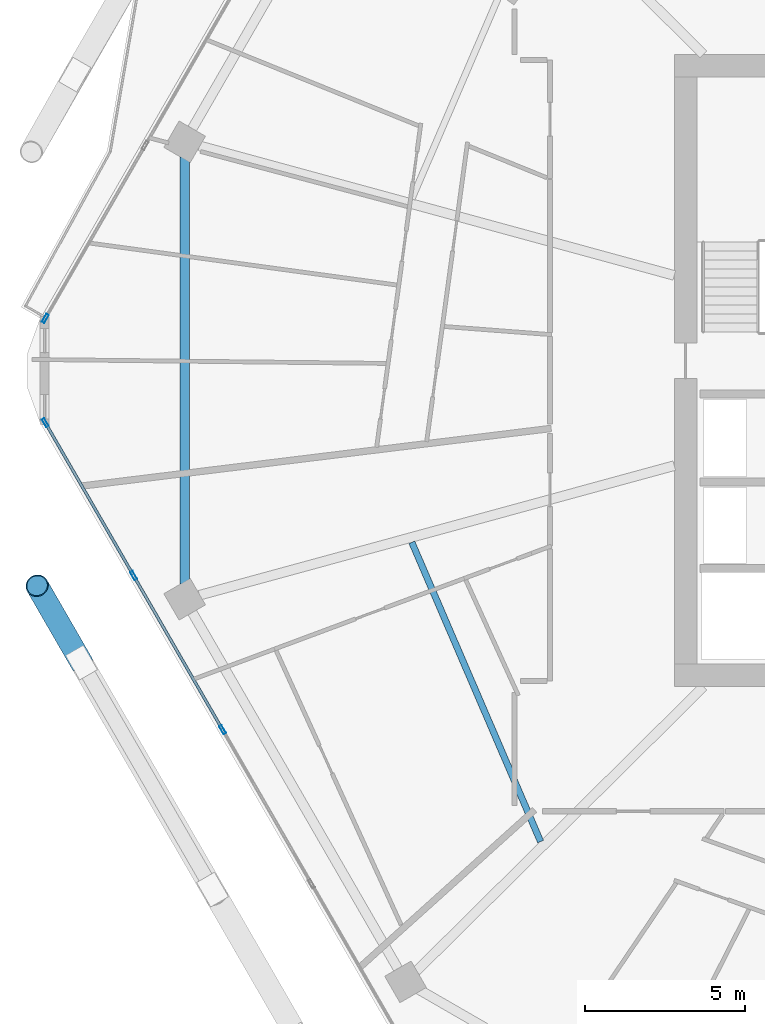
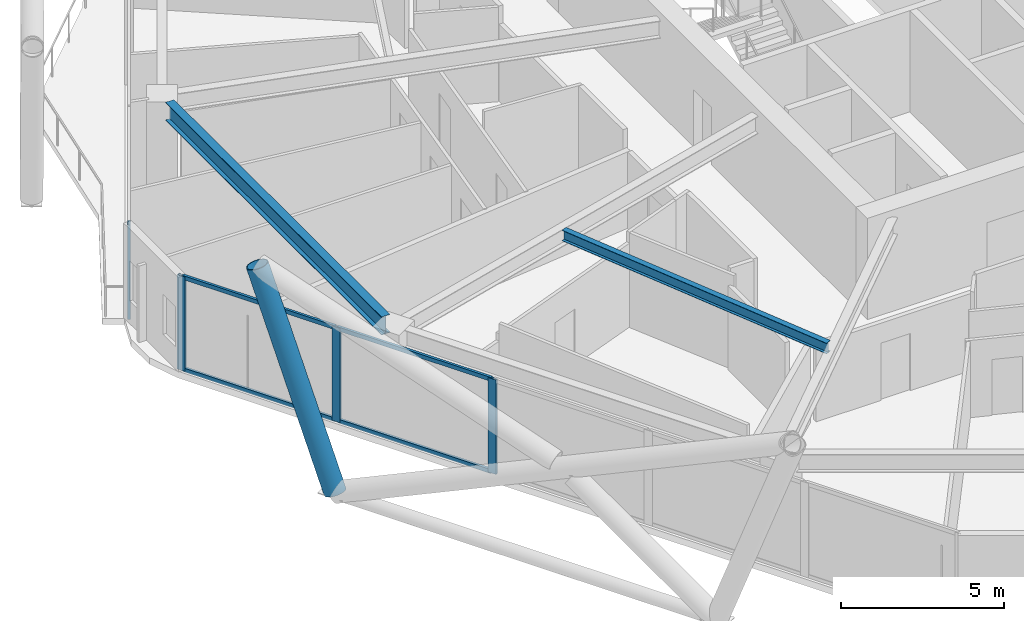
# One storey, part 5 of 28: 9 members, 2 beams, 2 elements without a shape of their own.
"""IFC4 building model written with IfcOpenShell, lengths in metres."""

from ifc_helpers import new_model, si_unit, direction, frame, origin, origin_2d, place, context, subcontext, project, spatial, hollow_rectangle, hollow_circle, i_section, extrude, material, material_profile, profile_set, type_object, element, aggregate, save


model = new_model("IFC4")

# Units and contexts
model_context = context("Model", 3, precision=1e-05, world=origin(), true_north=direction((0.0, 1.0)))
body_context = subcontext(model_context, "Body", "Model", "MODEL_VIEW")
ifc_project = project(units=[si_unit("LENGTHUNIT", "METRE"), si_unit("AREAUNIT", "SQUARE_METRE"), si_unit("VOLUMEUNIT", "CUBIC_METRE"), si_unit("PLANEANGLEUNIT", "RADIAN"), si_unit("MASSUNIT", "GRAM", prefix="KILO")], contexts=[model_context])

# Site, building, storey
site_placement = place(None, origin())
site = spatial("IfcSite", under=ifc_project, at=site_placement, CompositionType="ELEMENT")
building_placement = place(site_placement, origin())
building = spatial("IfcBuilding", under=site, at=building_placement, Name="Zuhravey Tower", CompositionType="ELEMENT")
storey_placement = place(building_placement, frame((0.0, 0.0, 199.800048828125)))
storey = spatial("IfcBuildingStorey", under=building, at=storey_placement, Name="L50", CompositionType="ELEMENT", Elevation=199.800048828125)

# Curtain wall, members
ifc_material_1 = material(Name="Thermally broken anodised aluminium", Category="aluminium")
curtain_wall_type = type_object("IfcCurtainWallType", Name="Zone 1-2 Residential Curtain Wall CW3", PredefinedType="NOTDEFINED", material=ifc_material_1)
curtain_wall_1_placement = place(storey_placement, origin())
curtain_wall_1 = element("IfcCurtainWall", 1, at=curtain_wall_1_placement, inside=storey, type_object=curtain_wall_type, Name="L50 CW3 CW-L50-F4-1", PredefinedType="NOTDEFINED")
ifc_material_2 = material(Name="Anodised aluminium", Category="aluminium")
ifc_material_profile_1 = material_profile(ifc_material_2, hollow_rectangle(XDim=0.090087890625, YDim=0.284912109375, WallThickness=0.0048828125, at=origin_2d()), Name="ALU-RHS-90x285x5")
ifc_profile_set_1 = profile_set([ifc_material_profile_1], Name="Anodised aluminium")
member_type_1 = type_object("IfcMemberType", Name="Curtain-Wall Mullion 90x180", PredefinedType="MULLION", material=ifc_profile_set_1)
member_1_placement = place(storey_placement, frame((11.07275390625, 20.809326171875, 0.0), z_axis=(0.0, 0.0, 1.0), x_axis=(-0.866025138215, -0.500000459979, 0.0)))
member_1 = element("IfcMember", 2, at=member_1_placement, type_object=member_type_1, Name="CW3 mullion 4", PredefinedType="MULLION", context=body_context, shape_type="SweptSolid", body=[
    extrude(hollow_rectangle(XDim=0.090087890625, YDim=0.284912109375, WallThickness=0.0048828125, at=origin_2d()), origin(), (0.0, 0.0, 1.0), 3.550048828125),
])
member_2_placement = place(storey_placement, frame((8.300537109375, 25.61083984375, 0.0), z_axis=(0.0, 0.0, 1.0), x_axis=(-0.866025138215, -0.500000459979, 0.0)))
member_2 = element("IfcMember", 3, at=member_2_placement, type_object=member_type_1, Name="CW3 mullion 5", PredefinedType="MULLION", context=body_context, shape_type="SweptSolid", body=[
    extrude(hollow_rectangle(XDim=0.090087890625, YDim=0.284912109375, WallThickness=0.0048828125, at=origin_2d()), origin(), (0.0, 0.0, 1.0), 3.550048828125),
])
member_3_placement = place(storey_placement, frame((5.55078125, 30.37353515625, 0.0), z_axis=(0.0, 0.0, 1.0), x_axis=(-0.866025138215, -0.500000459979, 0.0)))
member_3 = element("IfcMember", 4, at=member_3_placement, type_object=member_type_1, Name="CW3 mullion 6", PredefinedType="MULLION", context=body_context, shape_type="SweptSolid", body=[
    extrude(hollow_rectangle(XDim=0.090087890625, YDim=0.284912109375, WallThickness=0.0048828125, at=origin_2d()), origin(), (0.0, 0.0, 1.0), 3.550048828125),
])

# Curtain wall, member
curtain_wall_2_placement = place(storey_placement, origin())
curtain_wall_2 = element("IfcCurtainWall", 5, at=curtain_wall_2_placement, inside=storey, type_object=curtain_wall_type, Name="L50 CW3 CW-L50-F3-1", PredefinedType="NOTDEFINED")
member_4_placement = place(storey_placement, frame((5.55078125, 33.62646484375, 0.0), z_axis=(0.0, 0.0, 1.0), x_axis=(-0.866023899446, 0.500002605581, 0.0)))
member_4 = element("IfcMember", 6, at=member_4_placement, type_object=member_type_1, Name="CW3 mullion 1", PredefinedType="MULLION", context=body_context, shape_type="SweptSolid", body=[
    extrude(hollow_rectangle(XDim=0.090087890625, YDim=0.284912109375, WallThickness=0.0048828125, at=origin_2d()), origin(), (0.0, 0.0, 1.0), 3.550048828125),
])
aggregate(curtain_wall_2, [member_4])

# Member
ifc_material_profile_2 = material_profile(ifc_material_2, hollow_rectangle(XDim=0.090087890625, YDim=0.14990234375, WallThickness=0.0048828125, at=origin_2d()), Name="ALU-RHS-90x150x5")
ifc_profile_set_2 = profile_set([ifc_material_profile_2], Name="Anodised aluminium")
member_type_2 = type_object("IfcMemberType", Name="Curtain-Wall Transom 90x150", PredefinedType="USERDEFINED", material=ifc_profile_set_2)
member_5_placement = place(storey_placement, frame((11.050048828125, 20.84814453125, 0.044921875), z_axis=(-0.49996138257, 0.86604769842, 0.0), x_axis=(-0.86604769842, -0.49996138257, 0.0)))
member_5 = element("IfcMember", 7, at=member_5_placement, type_object=member_type_2, Name="CW3 transom 4.1", ObjectType="TRANSOM", PredefinedType="USERDEFINED", context=body_context, shape_type="SweptSolid", body=[
    extrude(hollow_rectangle(XDim=0.090087890625, YDim=0.14990234375, WallThickness=0.0048828125, at=origin_2d()), origin(), (0.0, 0.0, 1.0), 5.45458984375),
])

member_6_placement = place(storey_placement, frame((11.050048828125, 20.84814453125, 3.5048828125), z_axis=(-0.49996138257, 0.86604769842, 0.0), x_axis=(-0.86604769842, -0.49996138257, 0.0)))
member_6 = element("IfcMember", 8, at=member_6_placement, type_object=member_type_2, Name="CW3 transom 4.2", ObjectType="TRANSOM", PredefinedType="USERDEFINED", context=body_context, shape_type="SweptSolid", body=[
    extrude(hollow_rectangle(XDim=0.090087890625, YDim=0.14990234375, WallThickness=0.0048828125, at=origin_2d()), origin(), (0.0, 0.0, 1.0), 5.45458984375),
])

member_7_placement = place(storey_placement, frame((8.27783203125, 25.64990234375, 0.044921875), z_axis=(-0.499993332629, 0.866029253159, 0.0), x_axis=(-0.866029253159, -0.499993332629, 0.0)))
member_7 = element("IfcMember", 9, at=member_7_placement, type_object=member_type_2, Name="CW3 transom 5.1", ObjectType="TRANSOM", PredefinedType="USERDEFINED", context=body_context, shape_type="SweptSolid", body=[
    extrude(hollow_rectangle(XDim=0.090087890625, YDim=0.14990234375, WallThickness=0.0048828125, at=origin_2d()), origin(), (0.0, 0.0, 1.0), 5.4091796875),
])

member_8_placement = place(storey_placement, frame((8.27783203125, 25.64990234375, 3.5048828125), z_axis=(-0.499993332629, 0.866029253159, 0.0), x_axis=(-0.866029253159, -0.499993332629, 0.0)))
member_8 = element("IfcMember", 10, at=member_8_placement, type_object=member_type_2, Name="CW3 transom 5.2", ObjectType="TRANSOM", PredefinedType="USERDEFINED", context=body_context, shape_type="SweptSolid", body=[
    extrude(hollow_rectangle(XDim=0.090087890625, YDim=0.14990234375, WallThickness=0.0048828125, at=origin_2d()), origin(), (0.0, 0.0, 1.0), 5.4091796875),
])

aggregate(curtain_wall_1, [member_1, member_2, member_3, member_5, member_6, member_7, member_8])

ifc_material_3 = material(Name="Steel SM460", Category="steel")
ifc_material_profile_3 = material_profile(ifc_material_3, hollow_circle(Radius=0.355712890625, WallThickness=0.031982421875, at=origin_2d()), Name="CHS-711.2x32")
ifc_profile_set_3 = profile_set([ifc_material_profile_3], Name="Steel SM460")
member_type_3 = type_object("IfcMemberType", Name="Exoskeleton Zone 2 Diagrid CHS711x32", PredefinedType="BRACE", material=ifc_profile_set_3)
member_9_placement = place(storey_placement, frame((6.67431640625, 22.9072265625, -0.444091796875), z_axis=(-0.171428917165, 0.296929081792, 0.939385568734), x_axis=(-0.866029404905, -0.499993069792, 0.0)))
element("IfcMember", 11, at=member_9_placement, inside=storey, type_object=member_type_3, Name="L50 Face 4 Diagrid Brace 1", PredefinedType="BRACE", context=body_context, shape_type="SweptSolid", body=[
    extrude(hollow_circle(Radius=0.355712890625, WallThickness=0.031982421875, at=origin_2d()), origin(), (0.0, 0.0, 1.0), 8.0478515625),
])

# Beams
ifc_material_4 = material(Name="Steel SM355", Category="steel")
ifc_material_profile_4 = material_profile(ifc_material_4, i_section(OverallWidth=0.300048828125, OverallDepth=0.679931640625, WebThickness=0.012939453125, FlangeThickness=0.02197265625, at=origin_2d()), Name="H-680x300x13x22")
ifc_profile_set_4 = profile_set([ifc_material_profile_4], Name="Steel SM355")
beam_type_1 = type_object("IfcBeamType", Name="Perimeter Ring Beam H680x300", PredefinedType="BEAM", material=ifc_profile_set_4)
beam_1_placement = place(storey_placement, frame((9.892333984375, 38.6484375, 3.2099609375), z_axis=(0.0, -1.0, 0.0), x_axis=(1.0, 0.0, 0.0)))
element("IfcBeam", 12, at=beam_1_placement, inside=storey, type_object=beam_type_1, Name="L50 PB2 BM-L50-PB-06", PredefinedType="BEAM", context=body_context, shape_type="SweptSolid", body=[
    extrude(i_section(OverallWidth=0.300048828125, OverallDepth=0.679931640625, WebThickness=0.012939453125, FlangeThickness=0.02197265625, at=origin_2d()), origin(), (0.0, 0.0, 1.0), 13.296875),
])
ifc_material_profile_5 = material_profile(ifc_material_4, i_section(OverallWidth=0.199951171875, OverallDepth=0.39990234375, WebThickness=0.008056640625, FlangeThickness=0.012939453125, at=origin_2d()), Name="H-400x200x8x13")
ifc_profile_set_5 = profile_set([ifc_material_profile_5], Name="Steel SM355")
beam_type_2 = type_object("IfcBeamType", Name="Secondary Floor Joist H400x200", PredefinedType="JOIST", material=ifc_profile_set_5)
beam_2_placement = place(storey_placement, frame((16.970458984375, 26.6474609375, 3.349853515625), z_axis=(0.395265853487, -0.918566766799, 0.0), x_axis=(0.918566766799, 0.395265853487, 0.0)))
element("IfcBeam", 13, at=beam_2_placement, inside=storey, type_object=beam_type_2, Name="L50 SJ2 BM-L50-SJ-07-1", PredefinedType="JOIST", context=body_context, shape_type="SweptSolid", body=[
    extrude(i_section(OverallWidth=0.199951171875, OverallDepth=0.39990234375, WebThickness=0.008056640625, FlangeThickness=0.012939453125, at=origin_2d()), origin(), (0.0, 0.0, 1.0), 10.150146484375),
])

save(model, "model.ifc")
